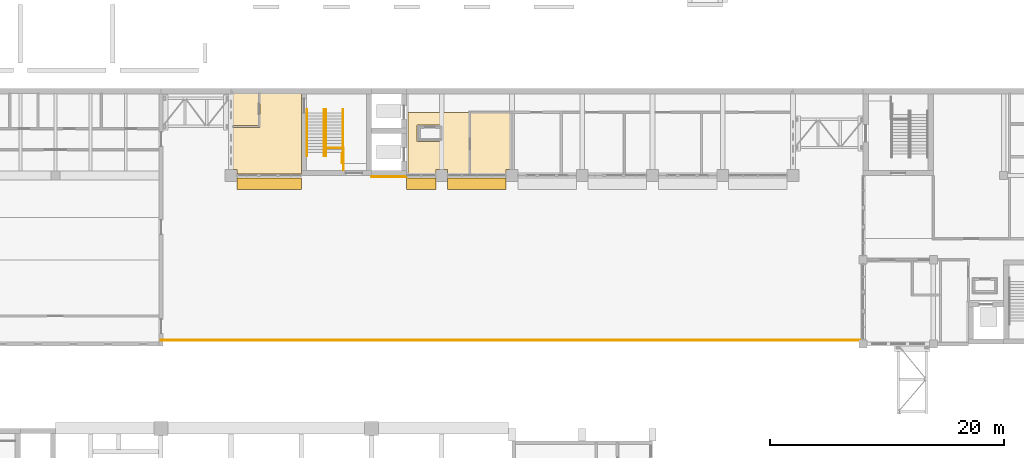
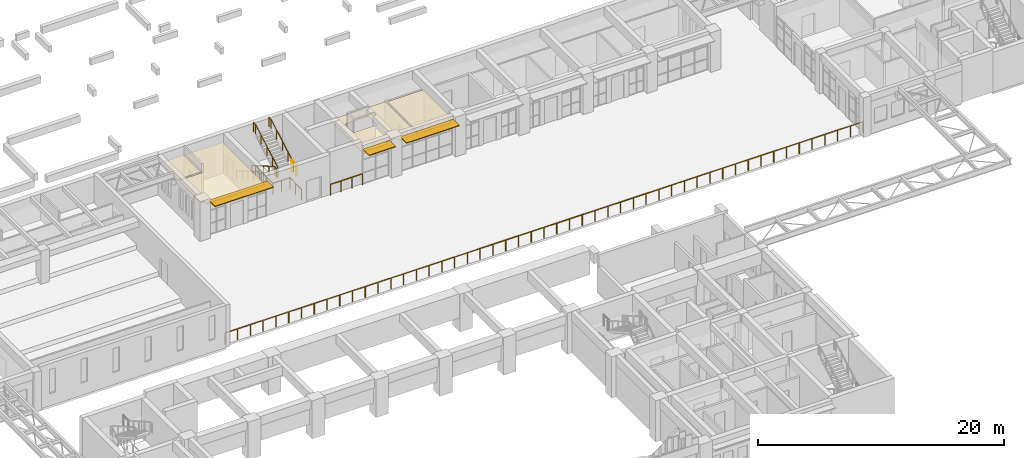
# One storey, part 98 of 103: 8 railings, 4 coverings, 3 shading devices.
"""IFC4 building model written with IfcOpenShell, lengths in metres."""

from ifc_helpers import new_model, si_unit, direction, frame, origin, origin_2d, place, context, subcontext, project, spatial, polyline, rectangle, circle, outline, extrude, material, layer, layer_set, type_object, element, save


model = new_model("IFC4")

# Units and contexts
model_context = context("Model", 3, precision=1e-05, world=origin(), true_north=direction((0.0, 1.0)))
body_context = subcontext(model_context, "Body", "Model", "MODEL_VIEW")
ifc_project = project(units=[si_unit("LENGTHUNIT", "METRE"), si_unit("AREAUNIT", "SQUARE_METRE"), si_unit("VOLUMEUNIT", "CUBIC_METRE"), si_unit("PLANEANGLEUNIT", "RADIAN"), si_unit("MASSUNIT", "GRAM", prefix="KILO")], contexts=[model_context])

# Site, building, storey
site_placement = place(None, origin())
site = spatial("IfcSite", under=ifc_project, at=site_placement, CompositionType="ELEMENT")
building_placement = place(site_placement, origin())
building = spatial("IfcBuilding", under=site, at=building_placement, Name="Laocheng Heights Fire and Rescue Headquarters", CompositionType="ELEMENT")
storey_placement = place(building_placement, frame((0.0, 0.0, 4.199951171875)))
storey = spatial("IfcBuildingStorey", under=building, at=storey_placement, Name="L01", CompositionType="ELEMENT", Elevation=4.199951171875)

# Shading devices
ifc_material_1 = material(Name="Precast concrete C40/50, light warm grey", Category="concrete")
ifc_layer_1 = layer(ifc_material_1, 0.080078125)
ifc_layer_set_1 = layer_set([ifc_layer_1], Name="Precast concrete C40/50, light warm grey")
shading_device_type = type_object("IfcShadingDeviceType", Name="PRECAST BLADE 1000 x 80 BLADE HQ SOUTH", PredefinedType="JALOUSIE", material=ifc_layer_set_1)
shading_device_1_placement = place(storey_placement, frame((39.25, 49.699951171875, 3.510009765625), z_axis=(0.0, 0.0, 1.0), x_axis=(1.0, 0.0, 0.0)))
element("IfcShadingDevice", 1, at=shading_device_1_placement, inside=storey, type_object=shading_device_type, Name="BLADE HQ SOUTH L01", PredefinedType="JALOUSIE", context=body_context, shape_type="SweptSolid", body=[
    extrude(rectangle(XDim=5.5, YDim=1.0, at=origin_2d()), origin(), (0.0, 0.0, 1.0), 0.080078125),
])
shading_device_2_placement = place(storey_placement, frame((52.25, 49.699951171875, 3.510009765625), z_axis=(0.0, 0.0, 1.0), x_axis=(1.0, 0.0, 0.0)))
element("IfcShadingDevice", 2, at=shading_device_2_placement, inside=storey, type_object=shading_device_type, Name="BLADE HQ SOUTH L01", PredefinedType="JALOUSIE", context=body_context, shape_type="SweptSolid", body=[
    extrude(rectangle(XDim=2.5, YDim=1.0, at=origin_2d()), origin(), (0.0, 0.0, 1.0), 0.080078125),
])
shading_device_3_placement = place(storey_placement, frame((57.0, 49.699951171875, 3.510009765625), z_axis=(0.0, 0.0, 1.0), x_axis=(1.0, 0.0, 0.0)))
element("IfcShadingDevice", 3, at=shading_device_3_placement, inside=storey, type_object=shading_device_type, Name="BLADE HQ SOUTH L01", PredefinedType="JALOUSIE", context=body_context, shape_type="SweptSolid", body=[
    extrude(rectangle(XDim=5.0, YDim=1.0, at=origin_2d()), origin(), (0.0, 0.0, 1.0), 0.080078125),
])

# Railings
ifc_material_2 = material(Name="Steel Q355B", Category="steel")
railing_type_1 = type_object("IfcRailingType", Name="STAIR GUARD 1100", PredefinedType="GUARDRAIL", material=ifc_material_2)
railing_1_placement = place(storey_placement, frame((45.60498046875, 50.8701171875, 0.0)))
element("IfcRailing", 4, at=railing_1_placement, inside=storey, type_object=railing_type_1, Name="Stair H1 guard L01 under the half landing", PredefinedType="GUARDRAIL", context=body_context, shape_type="SweptSolid", body=[
    extrude(circle(Radius=0.02392578125, at=origin_2d()), frame((0.0, 0.0, 1.076171875), z_axis=(0.0, 1.0, 0.0), x_axis=(-1.0, 0.0, 0.0)), (0.0, 0.0, 1.0), 1.900146484375),
    extrude(circle(Radius=0.02392578125, at=origin_2d()), frame((0.0, 1.900146484375, 1.076171875), z_axis=(-1.0, 0.0, 0.0), x_axis=(0.0, -1.0, 0.0)), (0.0, 0.0, 1.0), 1.580078125),
    extrude(circle(Radius=0.02392578125, at=origin_2d()), frame((-1.580078125, 1.900146484375, 1.076171875), z_axis=(0.0, 1.0, 0.0), x_axis=(-1.0, 0.0, 0.0)), (0.0, 0.0, 1.0), 2.879638671875),
    extrude(circle(Radius=0.02099609375, at=origin_2d()), origin(), (0.0, 0.0, 1.0), 1.052001953125),
    extrude(circle(Radius=0.02099609375, at=origin_2d()), frame((0.0, 0.9501953125, 0.0)), (0.0, 0.0, 1.0), 1.052001953125),
    extrude(circle(Radius=0.02099609375, at=origin_2d()), frame((0.0, 1.900146484375, 0.0)), (0.0, 0.0, 1.0), 1.052001953125),
    extrude(circle(Radius=0.02099609375, at=origin_2d()), frame((-0.7900390625, 1.900146484375, 0.0)), (0.0, 0.0, 1.0), 1.052001953125),
    extrude(circle(Radius=0.02099609375, at=origin_2d()), frame((-1.580078125, 1.900146484375, 0.0)), (0.0, 0.0, 1.0), 1.052001953125),
    extrude(circle(Radius=0.02099609375, at=origin_2d()), frame((-1.580078125, 2.860107421875, 0.0)), (0.0, 0.0, 1.0), 1.052001953125),
    extrude(circle(Radius=0.02099609375, at=origin_2d()), frame((-1.580078125, 3.81982421875, 0.0)), (0.0, 0.0, 1.0), 1.052001953125),
    extrude(circle(Radius=0.02099609375, at=origin_2d()), frame((-1.580078125, 4.77978515625, 0.0)), (0.0, 0.0, 1.0), 1.052001953125),
])
railing_2_placement = place(storey_placement, frame((45.4951171875, 51.469970703125, 2.10009765625)))
element("IfcRailing", 5, at=railing_2_placement, inside=storey, type_object=railing_type_1, Name="Stair H1 guard L01 half landing", PredefinedType="GUARDRAIL", context=body_context, shape_type="SweptSolid", body=[
    extrude(circle(Radius=0.02392578125, at=origin_2d()), frame((0.0, 0.0, 1.076171875), z_axis=(0.0, 1.0, 0.0), x_axis=(-1.0, 0.0, 0.0)), (0.0, 0.0, 1.0), 0.800048828125),
    extrude(circle(Radius=0.02099609375, at=origin_2d()), origin(), (0.0, 0.0, 1.0), 1.052001953125),
    extrude(circle(Radius=0.02099609375, at=origin_2d()), frame((0.0, 0.800048828125, 0.0)), (0.0, 0.0, 1.0), 1.052001953125),
])
ifc_material_3 = material(Name="Steel Q355B", Category="steel")
railing_type_2 = type_object("IfcRailingType", Name="STAIR HANDRAIL 920", PredefinedType="HANDRAIL", material=ifc_material_3)
for number, where, name in (
    (6, (42.4951171875, 56.050048828125, 0.0), "Stair H1 handrail L01 1"),
    (7, (43.955078125, 56.050048828125, 0.0), "Stair H1 handrail L01 2"),
):
    element("IfcRailing", number, at=place(storey_placement, frame(where)), inside=storey, type_object=railing_type_2, Name=name, PredefinedType="HANDRAIL", context=body_context, shape_type="SweptSolid", body=[
        extrude(circle(Radius=0.02392578125, at=origin_2d()), frame((0.0, 0.0, 0.89599609375), z_axis=(0.0, -0.868519587458, 0.495654845838), x_axis=(1.0, 0.0, 0.0)), (0.0, 0.0, 1.0), 4.237060546875),
        extrude(circle(Radius=0.02392578125, at=origin_2d()), frame((0.0, -3.679931640625, 2.99609375), z_axis=(0.0, -1.0, 0.0), x_axis=(1.0, 0.0, 0.0)), (0.0, 0.0, 1.0), 0.300048828125),
        extrude(circle(Radius=0.02099609375, at=origin_2d()), origin(), (0.0, 0.0, 1.0), 0.871826171875),
        extrude(circle(Radius=0.02099609375, at=origin_2d()), frame((0.0, -0.919921875, 0.52490234375)), (0.0, 0.0, 1.0), 0.871826171875),
        extrude(circle(Radius=0.02099609375, at=origin_2d()), frame((0.0, -1.83984375, 1.050048828125)), (0.0, 0.0, 1.0), 0.871826171875),
        extrude(circle(Radius=0.02099609375, at=origin_2d()), frame((0.0, -2.760009765625, 1.5751953125)), (0.0, 0.0, 1.0), 0.871826171875),
        extrude(circle(Radius=0.02099609375, at=origin_2d()), frame((0.0, -3.679931640625, 2.10009765625)), (0.0, 0.0, 1.0), 0.871826171875),
        extrude(circle(Radius=0.02099609375, at=origin_2d()), frame((0.0, -3.97998046875, 2.10009765625)), (0.0, 0.0, 1.0), 0.871826171875),
    ])
for number, where, name in (
    (8, (44.094970703125, 52.070068359375, 2.10009765625), "Stair H1 handrail L01 3"),
    (9, (45.554931640625, 52.070068359375, 2.10009765625), "Stair H1 handrail L01 4"),
):
    element("IfcRailing", number, at=place(storey_placement, frame(where)), inside=storey, type_object=railing_type_2, Name=name, PredefinedType="HANDRAIL", context=body_context, shape_type="SweptSolid", body=[
        extrude(circle(Radius=0.02392578125, at=origin_2d()), frame((0.0, 0.0, 0.89599609375), z_axis=(0.0, 0.868544392059, 0.495611379029), x_axis=(-1.0, 0.0, 0.0)), (0.0, 0.0, 1.0), 4.23681640625),
        extrude(circle(Radius=0.02392578125, at=origin_2d()), frame((0.0, 3.679931640625, 2.99560546875), z_axis=(0.0, 1.0, 0.0), x_axis=(-1.0, 0.0, 0.0)), (0.0, 0.0, 1.0), 0.300048828125),
        extrude(circle(Radius=0.02099609375, at=origin_2d()), origin(), (0.0, 0.0, 1.0), 0.871826171875),
        extrude(circle(Radius=0.02099609375, at=origin_2d()), frame((0.0, 0.919921875, 0.52490234375)), (0.0, 0.0, 1.0), 0.871826171875),
        extrude(circle(Radius=0.02099609375, at=origin_2d()), frame((0.0, 1.83984375, 1.0498046875)), (0.0, 0.0, 1.0), 0.871826171875),
        extrude(circle(Radius=0.02099609375, at=origin_2d()), frame((0.0, 2.760009765625, 1.574951171875)), (0.0, 0.0, 1.0), 0.871826171875),
        extrude(circle(Radius=0.02099609375, at=origin_2d()), frame((0.0, 3.679931640625, 2.099853515625)), (0.0, 0.0, 1.0), 0.871826171875),
        extrude(circle(Radius=0.02099609375, at=origin_2d()), frame((0.0, 3.97998046875, 2.099853515625)), (0.0, 0.0, 1.0), 0.871826171875),
    ])
ifc_material_4 = material(Name="Steel Q355B", Category="steel")
railing_type_3 = type_object("IfcRailingType", Name="STEEL GUARDRAIL 1100 TERRACE EDGE", PredefinedType="GUARDRAIL", material=ifc_material_4)
railing_3_placement = place(storey_placement, frame((30.0, 36.324951171875, 0.0)))
element("IfcRailing", 10, at=railing_3_placement, inside=storey, type_object=railing_type_3, Name="Guard on top of RW1 30 to 90", PredefinedType="GUARDRAIL", context=body_context, shape_type="SweptSolid", body=[
    extrude(circle(Radius=0.02490234375, at=origin_2d()), frame((0.0, 0.0, 1.0751953125), z_axis=(1.0, 0.0, 0.0), x_axis=(0.0, 1.0, 0.0)), (0.0, 0.0, 1.0), 60.0),
    extrude(circle(Radius=0.02490234375, at=origin_2d()), origin(), (0.0, 0.0, 1.0), 1.050048828125),
    extrude(circle(Radius=0.02490234375, at=origin_2d()), frame((1.199951171875, 0.0, 0.0)), (0.0, 0.0, 1.0), 1.050048828125),
    extrude(circle(Radius=0.02490234375, at=origin_2d()), frame((2.39990234375, 0.0, 0.0)), (0.0, 0.0, 1.0), 1.050048828125),
    extrude(circle(Radius=0.02490234375, at=origin_2d()), frame((3.60009765625, 0.0, 0.0)), (0.0, 0.0, 1.0), 1.050048828125),
    extrude(circle(Radius=0.02490234375, at=origin_2d()), frame((4.800048828125, 0.0, 0.0)), (0.0, 0.0, 1.0), 1.050048828125),
    extrude(circle(Radius=0.02490234375, at=origin_2d()), frame((6.0, 0.0, 0.0)), (0.0, 0.0, 1.0), 1.050048828125),
    extrude(circle(Radius=0.02490234375, at=origin_2d()), frame((7.199951171875, 0.0, 0.0)), (0.0, 0.0, 1.0), 1.050048828125),
    extrude(circle(Radius=0.02490234375, at=origin_2d()), frame((8.39990234375, 0.0, 0.0)), (0.0, 0.0, 1.0), 1.050048828125),
    extrude(circle(Radius=0.02490234375, at=origin_2d()), frame((9.60009765625, 0.0, 0.0)), (0.0, 0.0, 1.0), 1.050048828125),
    extrude(circle(Radius=0.02490234375, at=origin_2d()), frame((10.800048828125, 0.0, 0.0)), (0.0, 0.0, 1.0), 1.050048828125),
    extrude(circle(Radius=0.02490234375, at=origin_2d()), frame((12.0, 0.0, 0.0)), (0.0, 0.0, 1.0), 1.050048828125),
    extrude(circle(Radius=0.02490234375, at=origin_2d()), frame((13.199951171875, 0.0, 0.0)), (0.0, 0.0, 1.0), 1.050048828125),
    extrude(circle(Radius=0.02490234375, at=origin_2d()), frame((14.39990234375, 0.0, 0.0)), (0.0, 0.0, 1.0), 1.050048828125),
    extrude(circle(Radius=0.02490234375, at=origin_2d()), frame((15.60009765625, 0.0, 0.0)), (0.0, 0.0, 1.0), 1.050048828125),
    extrude(circle(Radius=0.02490234375, at=origin_2d()), frame((16.800048828125, 0.0, 0.0)), (0.0, 0.0, 1.0), 1.050048828125),
    extrude(circle(Radius=0.02490234375, at=origin_2d()), frame((18.0, 0.0, 0.0)), (0.0, 0.0, 1.0), 1.050048828125),
    extrude(circle(Radius=0.02490234375, at=origin_2d()), frame((19.199951171875, 0.0, 0.0)), (0.0, 0.0, 1.0), 1.050048828125),
    extrude(circle(Radius=0.02490234375, at=origin_2d()), frame((20.39990234375, 0.0, 0.0)), (0.0, 0.0, 1.0), 1.050048828125),
    extrude(circle(Radius=0.02490234375, at=origin_2d()), frame((21.60009765625, 0.0, 0.0)), (0.0, 0.0, 1.0), 1.050048828125),
    extrude(circle(Radius=0.02490234375, at=origin_2d()), frame((22.800048828125, 0.0, 0.0)), (0.0, 0.0, 1.0), 1.050048828125),
    extrude(circle(Radius=0.02490234375, at=origin_2d()), frame((24.0, 0.0, 0.0)), (0.0, 0.0, 1.0), 1.050048828125),
    extrude(circle(Radius=0.02490234375, at=origin_2d()), frame((25.199951171875, 0.0, 0.0)), (0.0, 0.0, 1.0), 1.050048828125),
    extrude(circle(Radius=0.02490234375, at=origin_2d()), frame((26.39990234375, 0.0, 0.0)), (0.0, 0.0, 1.0), 1.050048828125),
    extrude(circle(Radius=0.02490234375, at=origin_2d()), frame((27.60009765625, 0.0, 0.0)), (0.0, 0.0, 1.0), 1.050048828125),
    extrude(circle(Radius=0.02490234375, at=origin_2d()), frame((28.800048828125, 0.0, 0.0)), (0.0, 0.0, 1.0), 1.050048828125),
    extrude(circle(Radius=0.02490234375, at=origin_2d()), frame((30.0, 0.0, 0.0)), (0.0, 0.0, 1.0), 1.050048828125),
    extrude(circle(Radius=0.02490234375, at=origin_2d()), frame((31.199951171875, 0.0, 0.0)), (0.0, 0.0, 1.0), 1.050048828125),
    extrude(circle(Radius=0.02490234375, at=origin_2d()), frame((32.39990234375, 0.0, 0.0)), (0.0, 0.0, 1.0), 1.050048828125),
    extrude(circle(Radius=0.02490234375, at=origin_2d()), frame((33.60009765625, 0.0, 0.0)), (0.0, 0.0, 1.0), 1.050048828125),
    extrude(circle(Radius=0.02490234375, at=origin_2d()), frame((34.800048828125, 0.0, 0.0)), (0.0, 0.0, 1.0), 1.050048828125),
    extrude(circle(Radius=0.02490234375, at=origin_2d()), frame((36.0, 0.0, 0.0)), (0.0, 0.0, 1.0), 1.050048828125),
    extrude(circle(Radius=0.02490234375, at=origin_2d()), frame((37.199951171875, 0.0, 0.0)), (0.0, 0.0, 1.0), 1.050048828125),
    extrude(circle(Radius=0.02490234375, at=origin_2d()), frame((38.39990234375, 0.0, 0.0)), (0.0, 0.0, 1.0), 1.050048828125),
    extrude(circle(Radius=0.02490234375, at=origin_2d()), frame((39.60009765625, 0.0, 0.0)), (0.0, 0.0, 1.0), 1.050048828125),
    extrude(circle(Radius=0.02490234375, at=origin_2d()), frame((40.800048828125, 0.0, 0.0)), (0.0, 0.0, 1.0), 1.050048828125),
    extrude(circle(Radius=0.02490234375, at=origin_2d()), frame((42.0, 0.0, 0.0)), (0.0, 0.0, 1.0), 1.050048828125),
    extrude(circle(Radius=0.02490234375, at=origin_2d()), frame((43.199951171875, 0.0, 0.0)), (0.0, 0.0, 1.0), 1.050048828125),
    extrude(circle(Radius=0.02490234375, at=origin_2d()), frame((44.39990234375, 0.0, 0.0)), (0.0, 0.0, 1.0), 1.050048828125),
    extrude(circle(Radius=0.02490234375, at=origin_2d()), frame((45.60009765625, 0.0, 0.0)), (0.0, 0.0, 1.0), 1.050048828125),
    extrude(circle(Radius=0.02490234375, at=origin_2d()), frame((46.800048828125, 0.0, 0.0)), (0.0, 0.0, 1.0), 1.050048828125),
    extrude(circle(Radius=0.02490234375, at=origin_2d()), frame((48.0, 0.0, 0.0)), (0.0, 0.0, 1.0), 1.050048828125),
    extrude(circle(Radius=0.02490234375, at=origin_2d()), frame((49.199951171875, 0.0, 0.0)), (0.0, 0.0, 1.0), 1.050048828125),
    extrude(circle(Radius=0.02490234375, at=origin_2d()), frame((50.39990234375, 0.0, 0.0)), (0.0, 0.0, 1.0), 1.050048828125),
    extrude(circle(Radius=0.02490234375, at=origin_2d()), frame((51.60009765625, 0.0, 0.0)), (0.0, 0.0, 1.0), 1.050048828125),
    extrude(circle(Radius=0.02490234375, at=origin_2d()), frame((52.800048828125, 0.0, 0.0)), (0.0, 0.0, 1.0), 1.050048828125),
    extrude(circle(Radius=0.02490234375, at=origin_2d()), frame((54.0, 0.0, 0.0)), (0.0, 0.0, 1.0), 1.050048828125),
    extrude(circle(Radius=0.02490234375, at=origin_2d()), frame((55.199951171875, 0.0, 0.0)), (0.0, 0.0, 1.0), 1.050048828125),
    extrude(circle(Radius=0.02490234375, at=origin_2d()), frame((56.39990234375, 0.0, 0.0)), (0.0, 0.0, 1.0), 1.050048828125),
    extrude(circle(Radius=0.02490234375, at=origin_2d()), frame((57.60009765625, 0.0, 0.0)), (0.0, 0.0, 1.0), 1.050048828125),
    extrude(circle(Radius=0.02490234375, at=origin_2d()), frame((58.800048828125, 0.0, 0.0)), (0.0, 0.0, 1.0), 1.050048828125),
    extrude(circle(Radius=0.02490234375, at=origin_2d()), frame((60.0, 0.0, 0.0)), (0.0, 0.0, 1.0), 1.050048828125),
])
railing_4_placement = place(storey_placement, frame((48.0, 50.300048828125, 0.0)))
element("IfcRailing", 11, at=railing_4_placement, inside=storey, type_object=railing_type_3, Name="Guard at lift H-L3 pit edge", PredefinedType="GUARDRAIL", context=body_context, shape_type="SweptSolid", body=[
    extrude(circle(Radius=0.02490234375, at=origin_2d()), frame((0.0, 0.0, 1.0751953125), z_axis=(1.0, 0.0, 0.0), x_axis=(0.0, 1.0, 0.0)), (0.0, 0.0, 1.0), 3.0),
    extrude(circle(Radius=0.02490234375, at=origin_2d()), origin(), (0.0, 0.0, 1.0), 1.050048828125),
    extrude(circle(Radius=0.02490234375, at=origin_2d()), frame((1.0, 0.0, 0.0)), (0.0, 0.0, 1.0), 1.050048828125),
    extrude(circle(Radius=0.02490234375, at=origin_2d()), frame((2.0, 0.0, 0.0)), (0.0, 0.0, 1.0), 1.050048828125),
    extrude(circle(Radius=0.02490234375, at=origin_2d()), frame((3.0, 0.0, 0.0)), (0.0, 0.0, 1.0), 1.050048828125),
])

# Coverings
ifc_material_5 = material(Name="Mineral fibre ceiling tile")
ifc_layer_2 = layer(ifc_material_5, 0.0400390625)
ifc_layer_set_2 = layer_set([ifc_layer_2], Name="Mineral fibre ceiling tile")
covering_type = type_object("IfcCoveringType", Name="SUSPENDED CEILING MINERAL FIBRE TILE HQ WING", PredefinedType="CEILING", material=ifc_layer_set_2)
covering_1_placement = place(storey_placement, frame((0.0, 0.0, 3.0)))
element("IfcCovering", 12, at=covering_1_placement, inside=storey, type_object=covering_type, Name="HQ Court Lobby ceiling", PredefinedType="CEILING", context=body_context, shape_type="SweptSolid", body=[
    extrude(outline(polyline([(42.0, 50.550048828125), (36.5, 50.550048828125), (36.5, 50.89990234375), (36.14990234375, 50.89990234375), (36.14990234375, 54.52490234375), (38.324951171875, 54.52490234375), (38.47509765625, 54.52490234375), (38.47509765625, 57.449951171875), (42.0, 57.449951171875), (42.0, 54.60009765625), (42.0, 50.550048828125)])), origin(), (0.0, 0.0, 1.0), 0.0400390625),
])
covering_2_placement = place(storey_placement, frame((0.0, 0.0, 3.0)))
element("IfcCovering", 13, at=covering_2_placement, inside=storey, type_object=covering_type, Name="Accessible WC ceiling", PredefinedType="CEILING", context=body_context, shape_type="SweptSolid", body=[
    extrude(outline(polyline([(36.14990234375, 57.449951171875), (38.324951171875, 57.449951171875), (38.324951171875, 54.675048828125), (36.14990234375, 54.675048828125), (36.14990234375, 57.449951171875)])), origin(), (0.0, 0.0, 1.0), 0.0400390625),
])
covering_3_placement = place(storey_placement, frame((0.0, 0.0, 3.0)))
element("IfcCovering", 14, at=covering_3_placement, inside=storey, type_object=covering_type, Name="Lift Lobby ceiling", PredefinedType="CEILING", context=body_context, shape_type="SweptSolid", body=[
    extrude(outline(polyline([(56.324951171875, 50.550048828125), (54.5, 50.550048828125), (54.5, 50.89990234375), (53.5, 50.89990234375), (53.5, 50.550048828125), (51.125, 50.550048828125), (51.125, 53.875), (51.125, 54.125), (51.125, 55.800048828125), (56.324951171875, 55.800048828125), (56.324951171875, 50.550048828125)]), holes=[polyline([(53.89990234375, 53.300048828125), (54.10009765625, 53.300048828125), (54.10009765625, 53.5), (54.10009765625, 54.5), (54.10009765625, 54.699951171875), (53.89990234375, 54.699951171875), (52.10009765625, 54.699951171875), (51.89990234375, 54.699951171875), (51.89990234375, 54.5), (51.89990234375, 53.5), (51.89990234375, 53.300048828125), (52.10009765625, 53.300048828125), (53.89990234375, 53.300048828125)])]), origin(), (0.0, 0.0, 1.0), 0.0400390625),
])
covering_4_placement = place(storey_placement, frame((0.0, 0.0, 3.0)))
element("IfcCovering", 15, at=covering_4_placement, inside=storey, type_object=covering_type, Name="Toilets ceiling", PredefinedType="CEILING", context=body_context, shape_type="SweptSolid", body=[
    extrude(outline(polyline([(56.47509765625, 55.72509765625), (59.89990234375, 55.72509765625), (59.89990234375, 50.89990234375), (59.5, 50.89990234375), (59.5, 50.550048828125), (56.47509765625, 50.550048828125), (56.47509765625, 55.72509765625)])), origin(), (0.0, 0.0, 1.0), 0.0400390625),
])

save(model, "model.ifc")
